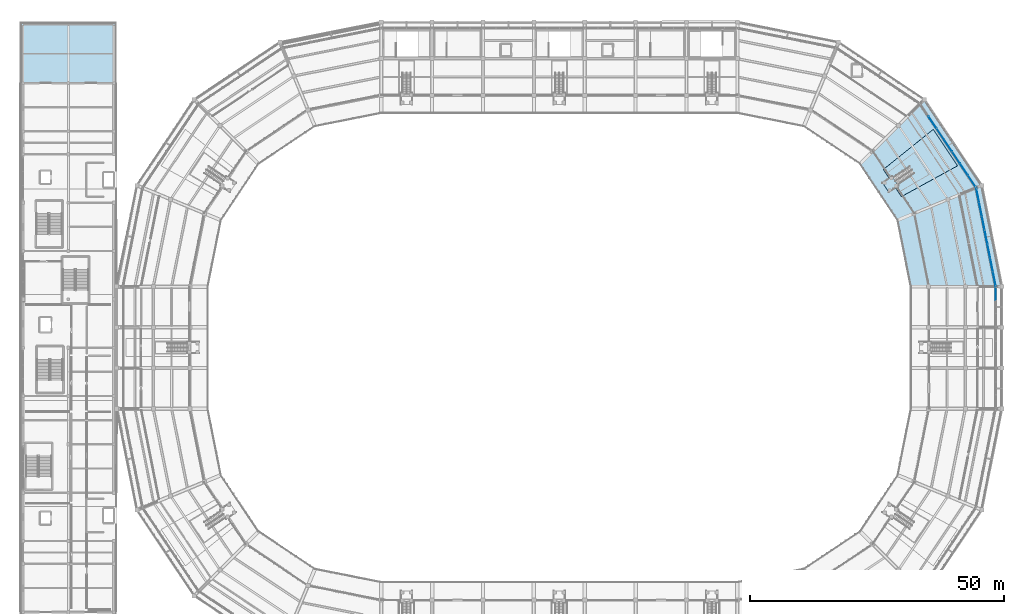
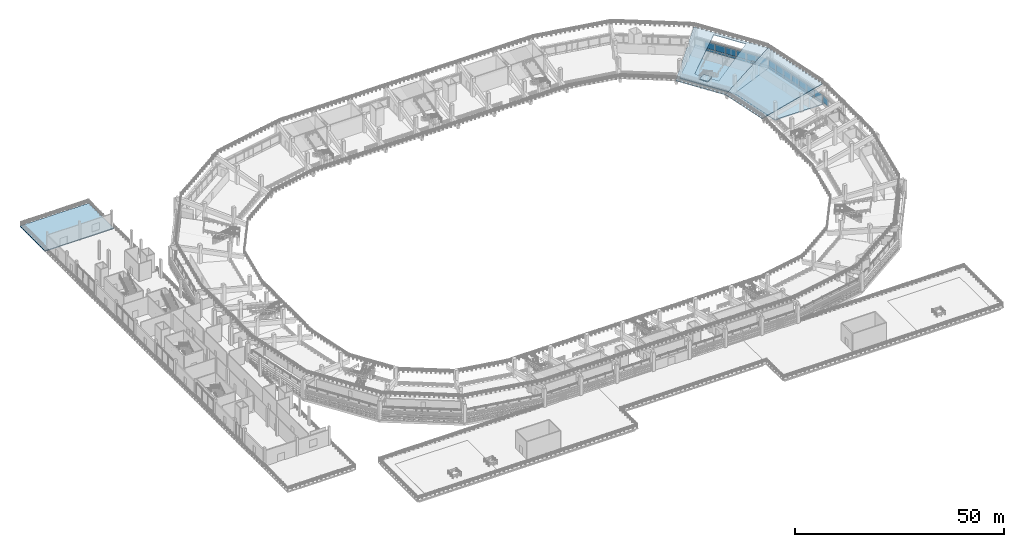
# One storey, part 55 of 96: 27 plates, 6 slabs, 4 elements without a shape of their own.
"""IFC4 building model written with IfcOpenShell, lengths in metres."""

from ifc_helpers import new_model, si_unit, direction, frame, origin, origin_2d, place, context, subcontext, project, spatial, polyline, rectangle, outline, extrude, material, layer, layer_set, type_object, element, aggregate, save


model = new_model("IFC4")

# Units and contexts
model_context = context("Model", 3, precision=1e-05, world=origin(), true_north=direction((0.0, 1.0)))
body_context = subcontext(model_context, "Body", "Model", "MODEL_VIEW")
ifc_project = project(units=[si_unit("LENGTHUNIT", "METRE"), si_unit("AREAUNIT", "SQUARE_METRE"), si_unit("VOLUMEUNIT", "CUBIC_METRE"), si_unit("PLANEANGLEUNIT", "RADIAN"), si_unit("MASSUNIT", "GRAM", prefix="KILO")], contexts=[model_context])

# Site, building, storey
site_placement = place(None, origin())
site = spatial("IfcSite", under=ifc_project, at=site_placement, CompositionType="ELEMENT")
building_placement = place(site_placement, origin())
building = spatial("IfcBuilding", under=site, at=building_placement, Name="Candeia Ridge Stadium", CompositionType="ELEMENT")
storey_placement = place(building_placement, frame((0.0, 0.0, 21.60009765625)))
storey = spatial("IfcBuildingStorey", under=building, at=storey_placement, Name="L04", CompositionType="ELEMENT", Elevation=21.60009765625)

# Slabs
ifc_material_1 = material(Name="Concrete C40/50", Category="concrete")
ifc_layer_1 = layer(ifc_material_1, 0.260009765625, Name="Concrete C40/50", Category="concrete")
ifc_layer_set_1 = layer_set([ifc_layer_1], Name="Concrete C40/50")
slab_type_1 = type_object("IfcSlabType", Name="Concourse Structural Slab 260", PredefinedType="FLOOR", material=ifc_layer_set_1)
slab_1_placement = place(storey_placement, frame((0.0, 0.0, -0.260009765625)))
element("IfcSlab", 1, at=slab_1_placement, inside=storey, type_object=slab_type_1, Name="Bowl concourse sector slab L04 bay 33 SLB-L04-0177", PredefinedType="FLOOR", context=body_context, shape_type="SweptSolid", body=[
    extrude(outline(polyline([(175.73779296875, 109.388916015625), (189.041748046875, 114.8994140625), (193.0, 95.0), (178.60009765625, 95.0), (175.73779296875, 109.388916015625)])), origin(), (0.0, 0.0, 1.0), 0.260009765625),
])
slab_2_placement = place(storey_placement, frame((0.0, 0.0, -0.260009765625)))
element("IfcSlab", 2, at=slab_2_placement, inside=storey, type_object=slab_type_1, Name="Bowl concourse sector slab L04 bay 34 SLB-L04-0178", PredefinedType="FLOOR", context=body_context, shape_type="SweptSolid", body=[
    extrude(outline(polyline([(167.587158203125, 121.587158203125), (177.76953125, 131.76953125), (189.041748046875, 114.8994140625), (175.73779296875, 109.388916015625), (167.587158203125, 121.587158203125)])), origin(), (0.0, 0.0, 1.0), 0.260009765625),
])

# Stair, slab
ifc_material_2 = material(Name="Precast concrete C45/55", Category="concrete")
stair_type = type_object("IfcStairType", Name="Spectator Vomitory Straight Stair 2200", PredefinedType="STRAIGHT_RUN_STAIR", material=ifc_material_2)
stair_placement = place(storey_placement, origin())
stair = element("IfcStair", 3, at=stair_placement, inside=storey, type_object=stair_type, Name="Vomitory stair VS36", PredefinedType="STRAIGHT_RUN_STAIR")
ifc_layer_2 = layer(ifc_material_1, 0.199951171875, Name="Concrete C40/50", Category="concrete")
ifc_layer_set_2 = layer_set([ifc_layer_2], Name="Concrete C40/50")
slab_type_2 = type_object("IfcSlabType", Name="Core Stair Landing Slab 200", PredefinedType="LANDING", material=ifc_layer_set_2)
slab_3_placement = place(storey_placement, frame((0.0, 0.0, 2.493896484375)))
slab_3 = element("IfcSlab", 4, at=slab_3_placement, type_object=slab_type_2, Name="VS36 landing 1", PredefinedType="LANDING", context=body_context, shape_type="SweptSolid", body=[
    extrude(outline(polyline([(172.637451171875, 114.79248046875), (170.766357421875, 113.542236328125), (169.521728515625, 115.404541015625), (171.39306640625, 116.655029296875), (172.637451171875, 114.79248046875)])), origin(), (0.0, 0.0, 1.0), 0.199951171875),
])
aggregate(stair, [slab_3])

# Curtain wall, plates
ifc_material_3 = material(Name="Aluminium Anodized Warm Bronze", Category="aluminium")
curtain_wall_type = type_object("IfcCurtainWallType", Name="Concourse Recessed Unitised Curtain Wall", PredefinedType="NOTDEFINED", material=ifc_material_3)
curtain_wall_1_placement = place(storey_placement, origin())
curtain_wall_1 = element("IfcCurtainWall", 5, at=curtain_wall_1_placement, inside=storey, type_object=curtain_wall_type, Name="Unitised curtain wall CW-BWL-L04-32", PredefinedType="NOTDEFINED")
ifc_material_4 = material(Name="Aluminium Insulated Spandrel", Category="aluminium")
ifc_layer_3 = layer(ifc_material_4, 0.06494140625, Name="Aluminium Insulated Spandrel", Category="aluminium")
ifc_layer_set_3 = layer_set([ifc_layer_3], Name="Aluminium Insulated Spandrel")
plate_type_1 = type_object("IfcPlateType", Name="Insulated Bronze Spandrel Panel SP1", PredefinedType="CURTAIN_PANEL", material=ifc_layer_set_3)
plate_1_placement = place(storey_placement, frame((191.49365234375, 96.539794921875, 0.0400390625), z_axis=(0.0, 0.0, 1.0), x_axis=(-0.195090320544, 0.980785280696, 0.0)))
plate_1 = element("IfcPlate", 6, at=plate_1_placement, type_object=plate_type_1, Name="Curtain wall spandrel panel CW-BWL-L04-32-SP0", PredefinedType="CURTAIN_PANEL", context=body_context, shape_type="SweptSolid", body=[
    extrude(rectangle(XDim=2.710205078125, YDim=0.06494140625, at=origin_2d()), origin(), (0.0, 0.0, 1.0), 0.613037109375),
])
plate_2_placement = place(storey_placement, frame((190.951416015625, 99.2666015625, 0.0400390625), z_axis=(0.0, 0.0, 1.0), x_axis=(-0.195090320544, 0.980785280696, 0.0)))
plate_2 = element("IfcPlate", 7, at=plate_2_placement, type_object=plate_type_1, Name="Curtain wall spandrel panel CW-BWL-L04-32-SP1", PredefinedType="CURTAIN_PANEL", context=body_context, shape_type="SweptSolid", body=[
    extrude(rectangle(XDim=2.710205078125, YDim=0.06494140625, at=origin_2d()), origin(), (0.0, 0.0, 1.0), 0.613037109375),
])
plate_3_placement = place(storey_placement, frame((190.408935546875, 101.993408203125, 0.0400390625), z_axis=(0.0, 0.0, 1.0), x_axis=(-0.195090320544, 0.980785280696, 0.0)))
plate_3 = element("IfcPlate", 8, at=plate_3_placement, type_object=plate_type_1, Name="Curtain wall spandrel panel CW-BWL-L04-32-SP2", PredefinedType="CURTAIN_PANEL", context=body_context, shape_type="SweptSolid", body=[
    extrude(rectangle(XDim=2.710205078125, YDim=0.06494140625, at=origin_2d()), origin(), (0.0, 0.0, 1.0), 0.613037109375),
])
plate_4_placement = place(storey_placement, frame((189.86669921875, 104.72021484375, 0.0400390625), z_axis=(0.0, 0.0, 1.0), x_axis=(-0.195090320544, 0.980785280696, 0.0)))
plate_4 = element("IfcPlate", 9, at=plate_4_placement, type_object=plate_type_1, Name="Curtain wall spandrel panel CW-BWL-L04-32-SP3", PredefinedType="CURTAIN_PANEL", context=body_context, shape_type="SweptSolid", body=[
    extrude(rectangle(XDim=2.710205078125, YDim=0.06494140625, at=origin_2d()), origin(), (0.0, 0.0, 1.0), 0.613037109375),
])
plate_5_placement = place(storey_placement, frame((189.32421875, 107.447021484375, 0.0400390625), z_axis=(0.0, 0.0, 1.0), x_axis=(-0.195090320544, 0.980785280696, 0.0)))
plate_5 = element("IfcPlate", 10, at=plate_5_placement, type_object=plate_type_1, Name="Curtain wall spandrel panel CW-BWL-L04-32-SP4", PredefinedType="CURTAIN_PANEL", context=body_context, shape_type="SweptSolid", body=[
    extrude(rectangle(XDim=2.710205078125, YDim=0.06494140625, at=origin_2d()), origin(), (0.0, 0.0, 1.0), 0.613037109375),
])
plate_6_placement = place(storey_placement, frame((188.78173828125, 110.173583984375, 0.0400390625), z_axis=(0.0, 0.0, 1.0), x_axis=(-0.195090320544, 0.980785280696, 0.0)))
plate_6 = element("IfcPlate", 11, at=plate_6_placement, type_object=plate_type_1, Name="Curtain wall spandrel panel CW-BWL-L04-32-SP5", PredefinedType="CURTAIN_PANEL", context=body_context, shape_type="SweptSolid", body=[
    extrude(rectangle(XDim=2.710205078125, YDim=0.06494140625, at=origin_2d()), origin(), (0.0, 0.0, 1.0), 0.613037109375),
])
plate_7_placement = place(storey_placement, frame((188.239501953125, 112.900390625, 0.0400390625), z_axis=(0.0, 0.0, 1.0), x_axis=(-0.195090320544, 0.980785280696, 0.0)))
plate_7 = element("IfcPlate", 12, at=plate_7_placement, type_object=plate_type_1, Name="Curtain wall spandrel panel CW-BWL-L04-32-SP6", PredefinedType="CURTAIN_PANEL", context=body_context, shape_type="SweptSolid", body=[
    extrude(rectangle(XDim=2.710205078125, YDim=0.06494140625, at=origin_2d()), origin(), (0.0, 0.0, 1.0), 0.613037109375),
])

curtain_wall_2_placement = place(storey_placement, origin())
curtain_wall_2 = element("IfcCurtainWall", 13, at=curtain_wall_2_placement, inside=storey, type_object=curtain_wall_type, Name="Unitised curtain wall CW-BWL-L04-33", PredefinedType="NOTDEFINED")
ifc_layer_4 = layer(ifc_material_4, 0.06494140625, Name="Aluminium Insulated Spandrel", Category="aluminium")
ifc_layer_set_4 = layer_set([ifc_layer_4], Name="Aluminium Insulated Spandrel")
plate_type_2 = type_object("IfcPlateType", Name="Insulated Bronze Spandrel Panel SP2", PredefinedType="CURTAIN_PANEL", material=ifc_layer_set_4)
plate_8_placement = place(storey_placement, frame((187.060791015625, 115.745849609375, 0.0400390625), z_axis=(0.0, 0.0, 1.0), x_axis=(-0.555571447533, 0.831468800789, 0.0)))
plate_8 = element("IfcPlate", 14, at=plate_8_placement, type_object=plate_type_2, Name="Curtain wall spandrel panel CW-BWL-L04-33-SP0", PredefinedType="CURTAIN_PANEL", context=body_context, shape_type="SweptSolid", body=[
    extrude(rectangle(XDim=2.710205078125, YDim=0.06494140625, at=origin_2d()), origin(), (0.0, 0.0, 1.0), 0.613037109375),
])
plate_9_placement = place(storey_placement, frame((185.51611328125, 118.057373046875, 0.0400390625), z_axis=(0.0, 0.0, 1.0), x_axis=(-0.555571447533, 0.831468800789, 0.0)))
plate_9 = element("IfcPlate", 15, at=plate_9_placement, type_object=plate_type_2, Name="Curtain wall spandrel panel CW-BWL-L04-33-SP1", PredefinedType="CURTAIN_PANEL", context=body_context, shape_type="SweptSolid", body=[
    extrude(rectangle(XDim=2.710205078125, YDim=0.06494140625, at=origin_2d()), origin(), (0.0, 0.0, 1.0), 0.613037109375),
])
plate_10_placement = place(storey_placement, frame((183.9716796875, 120.369140625, 0.0400390625), z_axis=(0.0, 0.0, 1.0), x_axis=(-0.555571447533, 0.831468800789, 0.0)))
plate_10 = element("IfcPlate", 16, at=plate_10_placement, type_object=plate_type_2, Name="Curtain wall spandrel panel CW-BWL-L04-33-SP2", PredefinedType="CURTAIN_PANEL", context=body_context, shape_type="SweptSolid", body=[
    extrude(rectangle(XDim=2.710205078125, YDim=0.06494140625, at=origin_2d()), origin(), (0.0, 0.0, 1.0), 0.613037109375),
])
plate_11_placement = place(storey_placement, frame((182.427001953125, 122.6806640625, 0.0400390625), z_axis=(0.0, 0.0, 1.0), x_axis=(-0.555571447533, 0.831468800789, 0.0)))
plate_11 = element("IfcPlate", 17, at=plate_11_placement, type_object=plate_type_2, Name="Curtain wall spandrel panel CW-BWL-L04-33-SP3", PredefinedType="CURTAIN_PANEL", context=body_context, shape_type="SweptSolid", body=[
    extrude(rectangle(XDim=2.710205078125, YDim=0.06494140625, at=origin_2d()), origin(), (0.0, 0.0, 1.0), 0.613037109375),
])
plate_12_placement = place(storey_placement, frame((180.882568359375, 124.9921875, 0.0400390625), z_axis=(0.0, 0.0, 1.0), x_axis=(-0.555571447533, 0.831468800789, 0.0)))
plate_12 = element("IfcPlate", 18, at=plate_12_placement, type_object=plate_type_2, Name="Curtain wall spandrel panel CW-BWL-L04-33-SP4", PredefinedType="CURTAIN_PANEL", context=body_context, shape_type="SweptSolid", body=[
    extrude(rectangle(XDim=2.710205078125, YDim=0.06494140625, at=origin_2d()), origin(), (0.0, 0.0, 1.0), 0.613037109375),
])
plate_13_placement = place(storey_placement, frame((179.337890625, 127.303955078125, 0.0400390625), z_axis=(0.0, 0.0, 1.0), x_axis=(-0.555571447533, 0.831468800789, 0.0)))
plate_13 = element("IfcPlate", 19, at=plate_13_placement, type_object=plate_type_2, Name="Curtain wall spandrel panel CW-BWL-L04-33-SP5", PredefinedType="CURTAIN_PANEL", context=body_context, shape_type="SweptSolid", body=[
    extrude(rectangle(XDim=2.710205078125, YDim=0.06494140625, at=origin_2d()), origin(), (0.0, 0.0, 1.0), 0.613037109375),
])

# Slab
ifc_layer_5 = layer(ifc_material_1, 0.27001953125, Name="Concrete C40/50", Category="concrete")
ifc_layer_set_5 = layer_set([ifc_layer_5], Name="Concrete C40/50")
slab_type_3 = type_object("IfcSlabType", Name="Planted Podium Terrace Deck 270", PredefinedType="ROOF", material=ifc_layer_set_5)
slab_4_placement = place(storey_placement, frame((0.0, 0.0, -0.27001953125)))
element("IfcSlab", 20, at=slab_4_placement, inside=storey, type_object=slab_type_3, Name="Planted roof garden slab SLB-L04-0306", PredefinedType="ROOF", context=body_context, shape_type="SweptSolid", body=[
    extrude(outline(polyline([(0.0, 135.0), (0.0, 147.0), (19.0, 147.0), (19.0, 135.0), (0.0, 135.0)])), origin(), (0.0, 0.0, 1.0), 0.27001953125),
])

# Plate
ifc_material_5 = material(Name="Tempered Low-E Double Glazing", Category="glass")
ifc_layer_6 = layer(ifc_material_5, 0.035888671875, Name="Tempered Low-E Double Glazing", Category="glass")
ifc_layer_set_6 = layer_set([ifc_layer_6], Name="Tempered Low-E Double Glazing")
plate_type_3 = type_object("IfcPlateType", Name="Solar Control Vision Glass Panel GP1", PredefinedType="CURTAIN_PANEL", material=ifc_layer_set_6)
plate_14_placement = place(storey_placement, frame((191.49365234375, 96.539794921875, 0.733154296875), z_axis=(0.0, 0.0, 1.0), x_axis=(-0.195090320544, 0.980785280696, 0.0)))
plate_14 = element("IfcPlate", 21, at=plate_14_placement, type_object=plate_type_3, Name="Curtain wall vision glass panel CW-BWL-L04-32-GP0", PredefinedType="CURTAIN_PANEL", context=body_context, shape_type="SweptSolid", body=[
    extrude(rectangle(XDim=2.710205078125, YDim=0.035888671875, at=origin_2d()), origin(), (0.0, 0.0, 1.0), 1.9990234375),
])

plate_15_placement = place(storey_placement, frame((190.951416015625, 99.2666015625, 0.733154296875), z_axis=(0.0, 0.0, 1.0), x_axis=(-0.195090320544, 0.980785280696, 0.0)))
plate_15 = element("IfcPlate", 22, at=plate_15_placement, type_object=plate_type_3, Name="Curtain wall vision glass panel CW-BWL-L04-32-GP1", PredefinedType="CURTAIN_PANEL", context=body_context, shape_type="SweptSolid", body=[
    extrude(rectangle(XDim=2.710205078125, YDim=0.035888671875, at=origin_2d()), origin(), (0.0, 0.0, 1.0), 1.9990234375),
])

plate_16_placement = place(storey_placement, frame((190.408935546875, 101.993408203125, 0.733154296875), z_axis=(0.0, 0.0, 1.0), x_axis=(-0.195090320544, 0.980785280696, 0.0)))
plate_16 = element("IfcPlate", 23, at=plate_16_placement, type_object=plate_type_3, Name="Curtain wall vision glass panel CW-BWL-L04-32-GP2", PredefinedType="CURTAIN_PANEL", context=body_context, shape_type="SweptSolid", body=[
    extrude(rectangle(XDim=2.710205078125, YDim=0.035888671875, at=origin_2d()), origin(), (0.0, 0.0, 1.0), 1.9990234375),
])

plate_17_placement = place(storey_placement, frame((189.86669921875, 104.72021484375, 0.733154296875), z_axis=(0.0, 0.0, 1.0), x_axis=(-0.195090320544, 0.980785280696, 0.0)))
plate_17 = element("IfcPlate", 24, at=plate_17_placement, type_object=plate_type_3, Name="Curtain wall vision glass panel CW-BWL-L04-32-GP3", PredefinedType="CURTAIN_PANEL", context=body_context, shape_type="SweptSolid", body=[
    extrude(rectangle(XDim=2.710205078125, YDim=0.035888671875, at=origin_2d()), origin(), (0.0, 0.0, 1.0), 1.9990234375),
])

plate_18_placement = place(storey_placement, frame((189.32421875, 107.447021484375, 0.733154296875), z_axis=(0.0, 0.0, 1.0), x_axis=(-0.195090320544, 0.980785280696, 0.0)))
plate_18 = element("IfcPlate", 25, at=plate_18_placement, type_object=plate_type_3, Name="Curtain wall vision glass panel CW-BWL-L04-32-GP4", PredefinedType="CURTAIN_PANEL", context=body_context, shape_type="SweptSolid", body=[
    extrude(rectangle(XDim=2.710205078125, YDim=0.035888671875, at=origin_2d()), origin(), (0.0, 0.0, 1.0), 1.9990234375),
])

plate_19_placement = place(storey_placement, frame((188.78173828125, 110.173583984375, 0.733154296875), z_axis=(0.0, 0.0, 1.0), x_axis=(-0.195090320544, 0.980785280696, 0.0)))
plate_19 = element("IfcPlate", 26, at=plate_19_placement, type_object=plate_type_3, Name="Curtain wall vision glass panel CW-BWL-L04-32-GP5", PredefinedType="CURTAIN_PANEL", context=body_context, shape_type="SweptSolid", body=[
    extrude(rectangle(XDim=2.710205078125, YDim=0.035888671875, at=origin_2d()), origin(), (0.0, 0.0, 1.0), 1.9990234375),
])

plate_20_placement = place(storey_placement, frame((188.239501953125, 112.900390625, 0.733154296875), z_axis=(0.0, 0.0, 1.0), x_axis=(-0.195090320544, 0.980785280696, 0.0)))
plate_20 = element("IfcPlate", 27, at=plate_20_placement, type_object=plate_type_3, Name="Curtain wall vision glass panel CW-BWL-L04-32-GP6", PredefinedType="CURTAIN_PANEL", context=body_context, shape_type="SweptSolid", body=[
    extrude(rectangle(XDim=2.710205078125, YDim=0.035888671875, at=origin_2d()), origin(), (0.0, 0.0, 1.0), 1.9990234375),
])

aggregate(curtain_wall_1, [plate_1, plate_14, plate_2, plate_15, plate_3, plate_16, plate_4, plate_17, plate_5, plate_18, plate_6, plate_19, plate_7, plate_20])

ifc_layer_7 = layer(ifc_material_5, 0.035888671875, Name="Tempered Low-E Double Glazing", Category="glass")
ifc_layer_set_7 = layer_set([ifc_layer_7], Name="Tempered Low-E Double Glazing")
plate_type_4 = type_object("IfcPlateType", Name="Solar Control Vision Glass Panel GP2", PredefinedType="CURTAIN_PANEL", material=ifc_layer_set_7)
plate_21_placement = place(storey_placement, frame((187.060791015625, 115.745849609375, 0.733154296875), z_axis=(0.0, 0.0, 1.0), x_axis=(-0.555571447533, 0.831468800789, 0.0)))
plate_21 = element("IfcPlate", 28, at=plate_21_placement, type_object=plate_type_4, Name="Curtain wall vision glass panel CW-BWL-L04-33-GP0", PredefinedType="CURTAIN_PANEL", context=body_context, shape_type="SweptSolid", body=[
    extrude(rectangle(XDim=2.710205078125, YDim=0.035888671875, at=origin_2d()), origin(), (0.0, 0.0, 1.0), 1.9990234375),
])

plate_22_placement = place(storey_placement, frame((185.51611328125, 118.057373046875, 0.733154296875), z_axis=(0.0, 0.0, 1.0), x_axis=(-0.555571447533, 0.831468800789, 0.0)))
plate_22 = element("IfcPlate", 29, at=plate_22_placement, type_object=plate_type_4, Name="Curtain wall vision glass panel CW-BWL-L04-33-GP1", PredefinedType="CURTAIN_PANEL", context=body_context, shape_type="SweptSolid", body=[
    extrude(rectangle(XDim=2.710205078125, YDim=0.035888671875, at=origin_2d()), origin(), (0.0, 0.0, 1.0), 1.9990234375),
])

plate_23_placement = place(storey_placement, frame((183.9716796875, 120.369140625, 0.733154296875), z_axis=(0.0, 0.0, 1.0), x_axis=(-0.555571447533, 0.831468800789, 0.0)))
plate_23 = element("IfcPlate", 30, at=plate_23_placement, type_object=plate_type_4, Name="Curtain wall vision glass panel CW-BWL-L04-33-GP2", PredefinedType="CURTAIN_PANEL", context=body_context, shape_type="SweptSolid", body=[
    extrude(rectangle(XDim=2.710205078125, YDim=0.035888671875, at=origin_2d()), origin(), (0.0, 0.0, 1.0), 1.9990234375),
])

plate_24_placement = place(storey_placement, frame((182.427001953125, 122.6806640625, 0.733154296875), z_axis=(0.0, 0.0, 1.0), x_axis=(-0.555571447533, 0.831468800789, 0.0)))
plate_24 = element("IfcPlate", 31, at=plate_24_placement, type_object=plate_type_4, Name="Curtain wall vision glass panel CW-BWL-L04-33-GP3", PredefinedType="CURTAIN_PANEL", context=body_context, shape_type="SweptSolid", body=[
    extrude(rectangle(XDim=2.710205078125, YDim=0.035888671875, at=origin_2d()), origin(), (0.0, 0.0, 1.0), 1.9990234375),
])

plate_25_placement = place(storey_placement, frame((180.882568359375, 124.9921875, 0.733154296875), z_axis=(0.0, 0.0, 1.0), x_axis=(-0.555571447533, 0.831468800789, 0.0)))
plate_25 = element("IfcPlate", 32, at=plate_25_placement, type_object=plate_type_4, Name="Curtain wall vision glass panel CW-BWL-L04-33-GP4", PredefinedType="CURTAIN_PANEL", context=body_context, shape_type="SweptSolid", body=[
    extrude(rectangle(XDim=2.710205078125, YDim=0.035888671875, at=origin_2d()), origin(), (0.0, 0.0, 1.0), 1.9990234375),
])

plate_26_placement = place(storey_placement, frame((179.337890625, 127.303955078125, 0.733154296875), z_axis=(0.0, 0.0, 1.0), x_axis=(-0.555571447533, 0.831468800789, 0.0)))
plate_26 = element("IfcPlate", 33, at=plate_26_placement, type_object=plate_type_4, Name="Curtain wall vision glass panel CW-BWL-L04-33-GP5", PredefinedType="CURTAIN_PANEL", context=body_context, shape_type="SweptSolid", body=[
    extrude(rectangle(XDim=2.710205078125, YDim=0.035888671875, at=origin_2d()), origin(), (0.0, 0.0, 1.0), 1.9990234375),
])

aggregate(curtain_wall_2, [plate_8, plate_21, plate_9, plate_22, plate_10, plate_23, plate_11, plate_24, plate_12, plate_25, plate_13, plate_26])

# Curtain wall, plate
curtain_wall_3_placement = place(storey_placement, origin())
curtain_wall_3 = element("IfcCurtainWall", 34, at=curtain_wall_3_placement, inside=storey, type_object=curtain_wall_type, Name="Unitised curtain wall CW-BWL-L04-31", PredefinedType="NOTDEFINED")
ifc_layer_8 = layer(ifc_material_5, 0.035888671875, Name="Tempered Low-E Double Glazing", Category="glass")
ifc_layer_set_8 = layer_set([ifc_layer_8], Name="Tempered Low-E Double Glazing")
plate_type_5 = type_object("IfcPlateType", Name="Solar Control Vision Glass Panel GP8", PredefinedType="CURTAIN_PANEL", material=ifc_layer_set_8)
plate_27_placement = place(storey_placement, frame((191.800048828125, 93.546630859375, 0.733154296875), z_axis=(0.0, 0.0, 1.0), x_axis=(0.0, 1.0, 0.0)))
plate_27 = element("IfcPlate", 35, at=plate_27_placement, type_object=plate_type_5, Name="Curtain wall vision glass panel CW-BWL-L04-31-GP2", PredefinedType="CURTAIN_PANEL", context=body_context, shape_type="SweptSolid", body=[
    extrude(rectangle(XDim=2.476806640625, YDim=0.035888671875, at=origin_2d()), origin(), (0.0, 0.0, 1.0), 1.9990234375),
])
aggregate(curtain_wall_3, [plate_27])

# Slabs
ifc_layer_9 = layer(ifc_material_2, 0.239990234375, Name="Precast concrete C45/55", Category="concrete")
ifc_layer_set_9 = layer_set([ifc_layer_9], Name="Precast concrete C45/55")
slab_type_4 = type_object("IfcSlabType", Name="Upper Cantilever Tier Precast 240", PredefinedType="USERDEFINED", material=ifc_layer_set_9)
slab_5_placement = place(storey_placement, frame((175.0, 95.0, 1.64990234375), z_axis=(-0.2503576128, -0.049798786666, 0.966871835643), x_axis=(-0.195079675491, 0.980787398066, 2.420734e-06)))
element("IfcSlab", 36, at=slab_5_placement, inside=storey, type_object=slab_type_4, Name="Stand Upper Tier Stands Bay 33", ObjectType="SEATING TIER", PredefinedType="USERDEFINED", context=body_context, shape_type="SweptSolid", body=[
    extrude(outline(polyline([(0.0, 0.0), (13.265856290361187, -4.440892098500626e-16), (16.54347406288541, -17.04151855011149), (-3.277337543188954, -17.04183232147286), (0.0, 0.0)])), origin(), (0.0, 0.0, -1.0), 0.239990234375),
])
slab_6_placement = place(storey_placement, frame((172.412109375, 108.010986328125, 1.64990234375), z_axis=(-0.212249411471, -0.14181603517, 0.96687041505), x_axis=(-0.555541902497, 0.831488541438, 5.136556e-06)))
element("IfcSlab", 37, at=slab_6_placement, inside=storey, type_object=slab_type_4, Name="Stand Upper Tier Stands Bay 34", ObjectType="SEATING TIER", PredefinedType="USERDEFINED", context=body_context, shape_type="SweptSolid", body=[
    extrude(outline(polyline([(0.0, 0.0), (13.266563896581555, -8.881784197001252e-16), (16.54453049508134, -17.04098330454092), (-3.2769388731758253, -17.041649109583425), (0.0, 0.0)]), holes=[polyline([(3.4263731727914086, -3.4087029950675576), (9.840639870016796, -3.408030708775468), (10.936979776411833, -16.35922607191185), (2.3310632900474006, -16.360441110728413), (3.4263731727914086, -3.4087029950675576)])]), origin(), (0.0, 0.0, -1.0), 0.239990234375),
])

save(model, "model.ifc")
